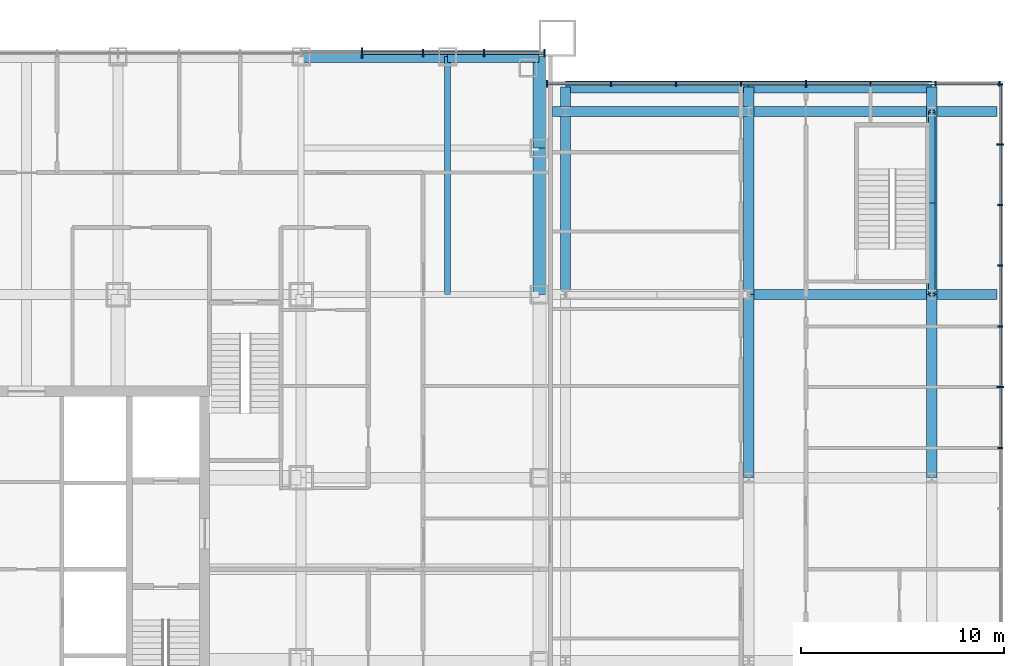
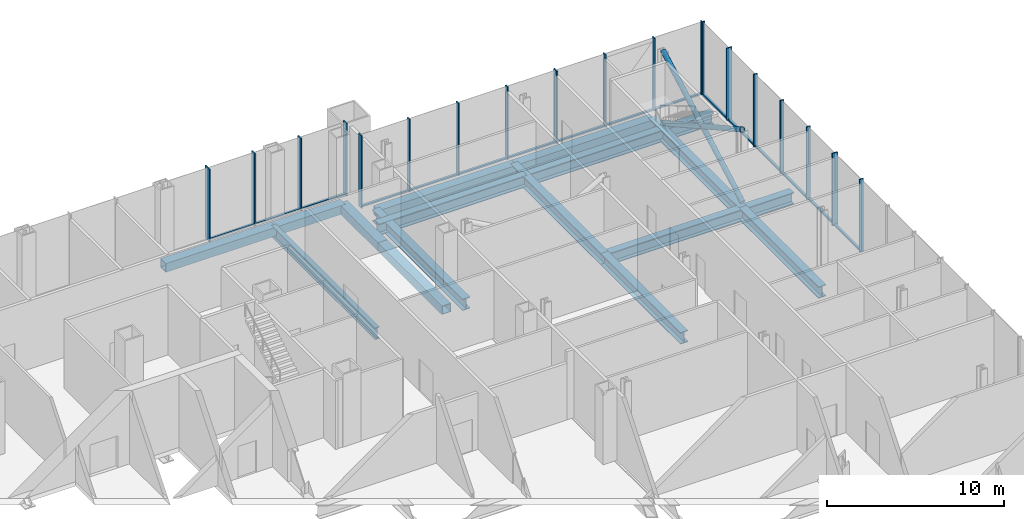
# One storey, part 9 of 25: 37 members, 15 beams, 3 elements without a shape of their own.
"""IFC4 building model written with IfcOpenShell, lengths in metres."""

from ifc_helpers import new_model, si_unit, direction, frame, origin, origin_2d, place, context, subcontext, project, spatial, rectangle, hollow_rectangle, hollow_circle, i_section, extrude, material, layer, layer_set, material_profile, profile_set, type_object, element, aggregate, save


model = new_model("IFC4")

# Units and contexts
model_context = context("Model", 3, precision=1e-05, world=origin(), true_north=direction((0.0, 1.0)))
body_context = subcontext(model_context, "Body", "Model", "MODEL_VIEW")
ifc_project = project(units=[si_unit("LENGTHUNIT", "METRE"), si_unit("AREAUNIT", "SQUARE_METRE"), si_unit("VOLUMEUNIT", "CUBIC_METRE"), si_unit("PLANEANGLEUNIT", "RADIAN"), si_unit("MASSUNIT", "GRAM", prefix="KILO")], contexts=[model_context])

# Site, building, storey
site_placement = place(None, origin())
site = spatial("IfcSite", under=ifc_project, at=site_placement, CompositionType="ELEMENT")
building_placement = place(site_placement, origin())
building = spatial("IfcBuilding", under=site, at=building_placement, Name="Malebo Sky Hospital", CompositionType="ELEMENT")
storey_placement = place(building_placement, frame((0.0, 0.0, 6.0)))
storey = spatial("IfcBuildingStorey", under=building, at=storey_placement, Name="L01", CompositionType="ELEMENT", Elevation=6.0)

# Curtain wall, members
ifc_material_1 = material(Name="Anodised aluminium, natural silver", Category="aluminium")
ifc_layer_1 = layer(ifc_material_1, 0.25)
ifc_layer_set_1 = layer_set([ifc_layer_1], Name="PODIUM ENTRANCE BAY CURTAIN WALL")
curtain_wall_type_1 = type_object("IfcCurtainWallType", Name="PODIUM ENTRANCE BAY CURTAIN WALL", PredefinedType="NOTDEFINED", material=ifc_layer_set_1)
curtain_wall_1_placement = place(storey_placement, origin())
curtain_wall_1 = element("IfcCurtainWall", 1, at=curtain_wall_1_placement, inside=storey, type_object=curtain_wall_type_1, Name="BAY curtain wall BN", PredefinedType="NOTDEFINED")
ifc_material_profile_1 = material_profile(ifc_material_1, rectangle(XDim=0.14990234375, YDim=0.10009765625, at=origin_2d()), Name="ALUMINIUM TRANSOM 150x100")
ifc_profile_set_1 = profile_set([ifc_material_profile_1], Name="Anodised aluminium, natural silver")
member_type_1 = type_object("IfcMemberType", Name="ALUMINIUM TRANSOM 150x100", PredefinedType="USERDEFINED", material=ifc_profile_set_1)
member_1_placement = place(storey_placement, frame((85.425048828125, 87.375, 0.050048828125), z_axis=(-1.0, 0.0, 0.0), x_axis=(0.0, -1.0, 0.0)))
member_1 = element("IfcMember", 2, at=member_1_placement, type_object=member_type_1, Name="Transom 1", ObjectType="TRANSOM", PredefinedType="USERDEFINED", context=body_context, shape_type="SweptSolid", body=[
    extrude(rectangle(XDim=0.14990234375, YDim=0.10009765625, at=origin_2d()), origin(), (0.0, 0.0, 1.0), 2.887451171875),
])
member_2_placement = place(storey_placement, frame((82.46240234375, 87.375, 0.050048828125), z_axis=(-1.0, 0.0, 0.0), x_axis=(0.0, -1.0, 0.0)))
member_2 = element("IfcMember", 3, at=member_2_placement, type_object=member_type_1, Name="Transom 2", ObjectType="TRANSOM", PredefinedType="USERDEFINED", context=body_context, shape_type="SweptSolid", body=[
    extrude(rectangle(XDim=0.14990234375, YDim=0.10009765625, at=origin_2d()), origin(), (0.0, 0.0, 1.0), 2.9248046875),
])
member_3_placement = place(storey_placement, frame((79.46240234375, 87.375, 0.050048828125), z_axis=(-1.0, 0.0, 0.0), x_axis=(0.0, -1.0, 0.0)))
member_3 = element("IfcMember", 4, at=member_3_placement, type_object=member_type_1, Name="Transom 3", ObjectType="TRANSOM", PredefinedType="USERDEFINED", context=body_context, shape_type="SweptSolid", body=[
    extrude(rectangle(XDim=0.14990234375, YDim=0.10009765625, at=origin_2d()), origin(), (0.0, 0.0, 1.0), 2.9248046875),
])

ifc_layer_2 = layer(ifc_material_1, 0.25)
ifc_layer_set_2 = layer_set([ifc_layer_2], Name="PODIUM CURTAIN WALL")
curtain_wall_type_2 = type_object("IfcCurtainWallType", Name="PODIUM CURTAIN WALL", PredefinedType="NOTDEFINED", material=ifc_layer_set_2)
curtain_wall_2_placement = place(storey_placement, origin())
curtain_wall_2 = element("IfcCurtainWall", 5, at=curtain_wall_2_placement, inside=storey, type_object=curtain_wall_type_2, Name="POD curtain wall EE", PredefinedType="NOTDEFINED")
member_4_placement = place(storey_placement, frame((107.875, 68.00634765625, 0.050048828125), z_axis=(0.0, 1.0, 0.0), x_axis=(-1.0, 0.0, 0.0)))
member_4 = element("IfcMember", 6, at=member_4_placement, type_object=member_type_1, Name="Transom 11", ObjectType="TRANSOM", PredefinedType="USERDEFINED", context=body_context, shape_type="SweptSolid", body=[
    extrude(rectangle(XDim=0.14990234375, YDim=0.10009765625, at=origin_2d()), origin(), (0.0, 0.0, 1.0), 2.9091796875),
])
member_5_placement = place(storey_placement, frame((107.875, 70.990478515625, 0.050048828125), z_axis=(0.0, 1.0, 0.0), x_axis=(-1.0, 0.0, 0.0)))
member_5 = element("IfcMember", 7, at=member_5_placement, type_object=member_type_1, Name="Transom 12", ObjectType="TRANSOM", PredefinedType="USERDEFINED", context=body_context, shape_type="SweptSolid", body=[
    extrude(rectangle(XDim=0.14990234375, YDim=0.10009765625, at=origin_2d()), origin(), (0.0, 0.0, 1.0), 2.909423828125),
])
member_6_placement = place(storey_placement, frame((107.875, 73.97509765625, 0.050048828125), z_axis=(0.0, 1.0, 0.0), x_axis=(-1.0, 0.0, 0.0)))
member_6 = element("IfcMember", 8, at=member_6_placement, type_object=member_type_1, Name="Transom 13", ObjectType="TRANSOM", PredefinedType="USERDEFINED", context=body_context, shape_type="SweptSolid", body=[
    extrude(rectangle(XDim=0.14990234375, YDim=0.10009765625, at=origin_2d()), origin(), (0.0, 0.0, 1.0), 2.909423828125),
])
member_7_placement = place(storey_placement, frame((107.875, 76.95947265625, 0.050048828125), z_axis=(0.0, 1.0, 0.0), x_axis=(-1.0, 0.0, 0.0)))
member_7 = element("IfcMember", 9, at=member_7_placement, type_object=member_type_1, Name="Transom 14", ObjectType="TRANSOM", PredefinedType="USERDEFINED", context=body_context, shape_type="SweptSolid", body=[
    extrude(rectangle(XDim=0.14990234375, YDim=0.10009765625, at=origin_2d()), origin(), (0.0, 0.0, 1.0), 2.9091796875),
])
member_8_placement = place(storey_placement, frame((107.875, 79.943603515625, 0.050048828125), z_axis=(0.0, 1.0, 0.0), x_axis=(-1.0, 0.0, 0.0)))
member_8 = element("IfcMember", 10, at=member_8_placement, type_object=member_type_1, Name="Transom 15", ObjectType="TRANSOM", PredefinedType="USERDEFINED", context=body_context, shape_type="SweptSolid", body=[
    extrude(rectangle(XDim=0.14990234375, YDim=0.10009765625, at=origin_2d()), origin(), (0.0, 0.0, 1.0), 2.909423828125),
])
member_9_placement = place(storey_placement, frame((107.875, 82.927978515625, 0.050048828125), z_axis=(0.0, 1.0, 0.0), x_axis=(-1.0, 0.0, 0.0)))
member_9 = element("IfcMember", 11, at=member_9_placement, type_object=member_type_1, Name="Transom 16", ObjectType="TRANSOM", PredefinedType="USERDEFINED", context=body_context, shape_type="SweptSolid", body=[
    extrude(rectangle(XDim=0.14990234375, YDim=0.10009765625, at=origin_2d()), origin(), (0.0, 0.0, 1.0), 2.8720703125),
])

curtain_wall_3_placement = place(storey_placement, origin())
curtain_wall_3 = element("IfcCurtainWall", 12, at=curtain_wall_3_placement, inside=storey, type_object=curtain_wall_type_2, Name="POD curtain wall EN", PredefinedType="NOTDEFINED")
member_10_placement = place(storey_placement, frame((107.800048828125, 85.875, 0.050048828125), z_axis=(-1.0, 0.0, 0.0), x_axis=(0.0, -1.0, 0.0)))
member_10 = element("IfcMember", 13, at=member_10_placement, type_object=member_type_1, Name="Transom 1", ObjectType="TRANSOM", PredefinedType="USERDEFINED", context=body_context, shape_type="SweptSolid", body=[
    extrude(rectangle(XDim=0.14990234375, YDim=0.10009765625, at=origin_2d()), origin(), (0.0, 0.0, 1.0), 3.076904296875),
])
member_11_placement = place(storey_placement, frame((104.648193359375, 85.875, 0.050048828125), z_axis=(-1.0, 0.0, 0.0), x_axis=(0.0, -1.0, 0.0)))
member_11 = element("IfcMember", 14, at=member_11_placement, type_object=member_type_1, Name="Transom 2", ObjectType="TRANSOM", PredefinedType="USERDEFINED", context=body_context, shape_type="SweptSolid", body=[
    extrude(rectangle(XDim=0.14990234375, YDim=0.10009765625, at=origin_2d()), origin(), (0.0, 0.0, 1.0), 3.1142578125),
])
member_12_placement = place(storey_placement, frame((101.458984375, 85.875, 0.050048828125), z_axis=(-1.0, 0.0, 0.0), x_axis=(0.0, -1.0, 0.0)))
member_12 = element("IfcMember", 15, at=member_12_placement, type_object=member_type_1, Name="Transom 3", ObjectType="TRANSOM", PredefinedType="USERDEFINED", context=body_context, shape_type="SweptSolid", body=[
    extrude(rectangle(XDim=0.14990234375, YDim=0.10009765625, at=origin_2d()), origin(), (0.0, 0.0, 1.0), 3.114501953125),
])
member_13_placement = place(storey_placement, frame((98.26953125, 85.875, 0.050048828125), z_axis=(-1.0, 0.0, 0.0), x_axis=(0.0, -1.0, 0.0)))
member_13 = element("IfcMember", 16, at=member_13_placement, type_object=member_type_1, Name="Transom 4", ObjectType="TRANSOM", PredefinedType="USERDEFINED", context=body_context, shape_type="SweptSolid", body=[
    extrude(rectangle(XDim=0.14990234375, YDim=0.10009765625, at=origin_2d()), origin(), (0.0, 0.0, 1.0), 3.114013671875),
])
member_14_placement = place(storey_placement, frame((95.080322265625, 85.875, 0.050048828125), z_axis=(-1.0, 0.0, 0.0), x_axis=(0.0, -1.0, 0.0)))
member_14 = element("IfcMember", 17, at=member_14_placement, type_object=member_type_1, Name="Transom 5", ObjectType="TRANSOM", PredefinedType="USERDEFINED", context=body_context, shape_type="SweptSolid", body=[
    extrude(rectangle(XDim=0.14990234375, YDim=0.10009765625, at=origin_2d()), origin(), (0.0, 0.0, 1.0), 3.1142578125),
])
member_15_placement = place(storey_placement, frame((91.89111328125, 85.875, 0.050048828125), z_axis=(-1.0, 0.0, 0.0), x_axis=(0.0, -1.0, 0.0)))
member_15 = element("IfcMember", 18, at=member_15_placement, type_object=member_type_1, Name="Transom 6", ObjectType="TRANSOM", PredefinedType="USERDEFINED", context=body_context, shape_type="SweptSolid", body=[
    extrude(rectangle(XDim=0.14990234375, YDim=0.10009765625, at=origin_2d()), origin(), (0.0, 0.0, 1.0), 3.1142578125),
])
member_16_placement = place(storey_placement, frame((88.701904296875, 85.875, 0.050048828125), z_axis=(-1.0, 0.0, 0.0), x_axis=(0.0, -1.0, 0.0)))
member_16 = element("IfcMember", 19, at=member_16_placement, type_object=member_type_1, Name="Transom 7", ObjectType="TRANSOM", PredefinedType="USERDEFINED", context=body_context, shape_type="SweptSolid", body=[
    extrude(rectangle(XDim=0.14990234375, YDim=0.10009765625, at=origin_2d()), origin(), (0.0, 0.0, 1.0), 3.076904296875),
])

# Member
ifc_material_profile_2 = material_profile(ifc_material_1, rectangle(XDim=0.074951171875, YDim=0.25, at=origin_2d()), Name="CW3 ALUMINIUM FIN MULLION 75x250")
ifc_profile_set_2 = profile_set([ifc_material_profile_2], Name="Anodised aluminium, natural silver")
member_type_2 = type_object("IfcMemberType", Name="CW3 ALUMINIUM FIN MULLION 75x250", PredefinedType="MULLION", material=ifc_profile_set_2)
member_17_placement = place(storey_placement, frame((107.875, 67.96875, 0.0), z_axis=(0.0, 0.0, 1.0), x_axis=(0.0, 1.0, 0.0)))
member_17 = element("IfcMember", 20, at=member_17_placement, type_object=member_type_2, Name="Fin mullion 11", PredefinedType="MULLION", context=body_context, shape_type="SweptSolid", body=[
    extrude(rectangle(XDim=0.074951171875, YDim=0.25, at=origin_2d()), origin(), (0.0, 0.0, 1.0), 5.0),
])

member_18_placement = place(storey_placement, frame((107.875, 73.9375, 0.0), z_axis=(0.0, 0.0, 1.0), x_axis=(0.0, 1.0, 0.0)))
member_18 = element("IfcMember", 21, at=member_18_placement, type_object=member_type_2, Name="Fin mullion 13", PredefinedType="MULLION", context=body_context, shape_type="SweptSolid", body=[
    extrude(rectangle(XDim=0.074951171875, YDim=0.25, at=origin_2d()), origin(), (0.0, 0.0, 1.0), 5.0),
])

member_19_placement = place(storey_placement, frame((107.875, 76.921875, 0.0), z_axis=(0.0, 0.0, 1.0), x_axis=(0.0, 1.0, 0.0)))
member_19 = element("IfcMember", 22, at=member_19_placement, type_object=member_type_2, Name="Fin mullion 14", PredefinedType="MULLION", context=body_context, shape_type="SweptSolid", body=[
    extrude(rectangle(XDim=0.074951171875, YDim=0.25, at=origin_2d()), origin(), (0.0, 0.0, 1.0), 5.0),
])

member_20_placement = place(storey_placement, frame((107.875, 79.90625, 0.0), z_axis=(0.0, 0.0, 1.0), x_axis=(0.0, 1.0, 0.0)))
member_20 = element("IfcMember", 23, at=member_20_placement, type_object=member_type_2, Name="Fin mullion 15", PredefinedType="MULLION", context=body_context, shape_type="SweptSolid", body=[
    extrude(rectangle(XDim=0.074951171875, YDim=0.25, at=origin_2d()), origin(), (0.0, 0.0, 1.0), 5.0),
])

member_21_placement = place(storey_placement, frame((107.875, 85.83740234375, 0.0), z_axis=(0.0, 0.0, 1.0), x_axis=(0.0, 1.0, 0.0)))
member_21 = element("IfcMember", 24, at=member_21_placement, type_object=member_type_2, Name="Fin mullion 17", PredefinedType="MULLION", context=body_context, shape_type="SweptSolid", body=[
    extrude(rectangle(XDim=0.074951171875, YDim=0.25, at=origin_2d()), origin(), (0.0, 0.0, 1.0), 5.0),
])

member_22_placement = place(storey_placement, frame((107.83740234375, 85.875, 0.0), z_axis=(0.0, 0.0, 1.0), x_axis=(-1.0, 0.0, 0.0)))
member_22 = element("IfcMember", 25, at=member_22_placement, type_object=member_type_2, Name="Fin mullion 1", PredefinedType="MULLION", context=body_context, shape_type="SweptSolid", body=[
    extrude(rectangle(XDim=0.074951171875, YDim=0.25, at=origin_2d()), origin(), (0.0, 0.0, 1.0), 5.0),
])

member_23_placement = place(storey_placement, frame((104.685791015625, 85.875, 0.0), z_axis=(0.0, 0.0, 1.0), x_axis=(-1.0, 0.0, 0.0)))
member_23 = element("IfcMember", 26, at=member_23_placement, type_object=member_type_2, Name="Fin mullion 2", PredefinedType="MULLION", context=body_context, shape_type="SweptSolid", body=[
    extrude(rectangle(XDim=0.074951171875, YDim=0.25, at=origin_2d()), origin(), (0.0, 0.0, 1.0), 5.0),
])

member_24_placement = place(storey_placement, frame((101.496337890625, 85.875, 0.0), z_axis=(0.0, 0.0, 1.0), x_axis=(-1.0, 0.0, 0.0)))
member_24 = element("IfcMember", 27, at=member_24_placement, type_object=member_type_2, Name="Fin mullion 3", PredefinedType="MULLION", context=body_context, shape_type="SweptSolid", body=[
    extrude(rectangle(XDim=0.074951171875, YDim=0.25, at=origin_2d()), origin(), (0.0, 0.0, 1.0), 5.0),
])

member_25_placement = place(storey_placement, frame((95.117919921875, 85.875, 0.0), z_axis=(0.0, 0.0, 1.0), x_axis=(-1.0, 0.0, 0.0)))
member_25 = element("IfcMember", 28, at=member_25_placement, type_object=member_type_2, Name="Fin mullion 5", PredefinedType="MULLION", context=body_context, shape_type="SweptSolid", body=[
    extrude(rectangle(XDim=0.074951171875, YDim=0.25, at=origin_2d()), origin(), (0.0, 0.0, 1.0), 5.0),
])

member_26_placement = place(storey_placement, frame((91.9287109375, 85.875, 0.0), z_axis=(0.0, 0.0, 1.0), x_axis=(-1.0, 0.0, 0.0)))
member_26 = element("IfcMember", 29, at=member_26_placement, type_object=member_type_2, Name="Fin mullion 6", PredefinedType="MULLION", context=body_context, shape_type="SweptSolid", body=[
    extrude(rectangle(XDim=0.074951171875, YDim=0.25, at=origin_2d()), origin(), (0.0, 0.0, 1.0), 5.0),
])

member_27_placement = place(storey_placement, frame((88.7392578125, 85.875, 0.0), z_axis=(0.0, 0.0, 1.0), x_axis=(-1.0, 0.0, 0.0)))
member_27 = element("IfcMember", 30, at=member_27_placement, type_object=member_type_2, Name="Fin mullion 7", PredefinedType="MULLION", context=body_context, shape_type="SweptSolid", body=[
    extrude(rectangle(XDim=0.074951171875, YDim=0.25, at=origin_2d()), origin(), (0.0, 0.0, 1.0), 5.0),
])

ifc_material_profile_3 = material_profile(ifc_material_1, rectangle(XDim=0.074951171875, YDim=0.35009765625, at=origin_2d()), Name="CW3 ALUMINIUM FIN MULLION 75x350")
ifc_profile_set_3 = profile_set([ifc_material_profile_3], Name="Anodised aluminium, natural silver")
member_type_3 = type_object("IfcMemberType", Name="CW3 ALUMINIUM FIN MULLION 75x350", PredefinedType="MULLION", material=ifc_profile_set_3)
member_28_placement = place(storey_placement, frame((107.875, 70.953125, 0.0), z_axis=(0.0, 0.0, 1.0), x_axis=(0.0, 1.0, 0.0)))
member_28 = element("IfcMember", 31, at=member_28_placement, type_object=member_type_3, Name="Fin mullion 12", PredefinedType="MULLION", context=body_context, shape_type="SweptSolid", body=[
    extrude(rectangle(XDim=0.074951171875, YDim=0.35009765625, at=origin_2d()), origin(), (0.0, 0.0, 1.0), 5.0),
])

member_29_placement = place(storey_placement, frame((107.875, 82.890625, 0.0), z_axis=(0.0, 0.0, 1.0), x_axis=(0.0, 1.0, 0.0)))
member_29 = element("IfcMember", 32, at=member_29_placement, type_object=member_type_3, Name="Fin mullion 16", PredefinedType="MULLION", context=body_context, shape_type="SweptSolid", body=[
    extrude(rectangle(XDim=0.074951171875, YDim=0.35009765625, at=origin_2d()), origin(), (0.0, 0.0, 1.0), 5.0),
])

aggregate(curtain_wall_2, [member_17, member_28, member_18, member_19, member_20, member_29, member_21, member_4, member_5, member_6, member_7, member_8, member_9])

member_30_placement = place(storey_placement, frame((98.30712890625, 85.875, 0.0), z_axis=(0.0, 0.0, 1.0), x_axis=(-1.0, 0.0, 0.0)))
member_30 = element("IfcMember", 33, at=member_30_placement, type_object=member_type_3, Name="Fin mullion 4", PredefinedType="MULLION", context=body_context, shape_type="SweptSolid", body=[
    extrude(rectangle(XDim=0.074951171875, YDim=0.35009765625, at=origin_2d()), origin(), (0.0, 0.0, 1.0), 5.0),
])

member_31_placement = place(storey_placement, frame((85.58740234375, 85.875, 0.0), z_axis=(0.0, 0.0, 1.0), x_axis=(-1.0, 0.0, 0.0)))
member_31 = element("IfcMember", 34, at=member_31_placement, type_object=member_type_3, Name="Fin mullion 8", PredefinedType="MULLION", context=body_context, shape_type="SweptSolid", body=[
    extrude(rectangle(XDim=0.074951171875, YDim=0.35009765625, at=origin_2d()), origin(), (0.0, 0.0, 1.0), 5.0),
])

aggregate(curtain_wall_3, [member_22, member_23, member_24, member_30, member_25, member_26, member_27, member_31, member_10, member_11, member_12, member_13, member_14, member_15, member_16])

ifc_material_profile_4 = material_profile(ifc_material_1, rectangle(XDim=0.074951171875, YDim=0.35009765625, at=origin_2d()), Name="CW4 ALUMINIUM FIN MULLION 75x350")
ifc_profile_set_4 = profile_set([ifc_material_profile_4], Name="Anodised aluminium, natural silver")
member_type_4 = type_object("IfcMemberType", Name="CW4 ALUMINIUM FIN MULLION 75x350", PredefinedType="MULLION", material=ifc_profile_set_4)
member_32_placement = place(storey_placement, frame((85.46240234375, 87.375, 0.0), z_axis=(0.0, 0.0, 1.0), x_axis=(-1.0, 0.0, 0.0)))
member_32 = element("IfcMember", 35, at=member_32_placement, type_object=member_type_4, Name="Fin mullion 1", PredefinedType="MULLION", context=body_context, shape_type="SweptSolid", body=[
    extrude(rectangle(XDim=0.074951171875, YDim=0.35009765625, at=origin_2d()), origin(), (0.0, 0.0, 1.0), 5.0),
])

member_33_placement = place(storey_placement, frame((82.5, 87.375, 0.0), z_axis=(0.0, 0.0, 1.0), x_axis=(-1.0, 0.0, 0.0)))
member_33 = element("IfcMember", 36, at=member_33_placement, type_object=member_type_4, Name="Fin mullion 2", PredefinedType="MULLION", context=body_context, shape_type="SweptSolid", body=[
    extrude(rectangle(XDim=0.074951171875, YDim=0.35009765625, at=origin_2d()), origin(), (0.0, 0.0, 1.0), 5.0),
])

member_34_placement = place(storey_placement, frame((79.5, 87.375, 0.0), z_axis=(0.0, 0.0, 1.0), x_axis=(-1.0, 0.0, 0.0)))
member_34 = element("IfcMember", 37, at=member_34_placement, type_object=member_type_4, Name="Fin mullion 3", PredefinedType="MULLION", context=body_context, shape_type="SweptSolid", body=[
    extrude(rectangle(XDim=0.074951171875, YDim=0.35009765625, at=origin_2d()), origin(), (0.0, 0.0, 1.0), 5.0),
])

ifc_material_profile_5 = material_profile(ifc_material_1, rectangle(XDim=0.074951171875, YDim=0.5, at=origin_2d()), Name="CW4 ALUMINIUM FIN MULLION 75x500")
ifc_profile_set_5 = profile_set([ifc_material_profile_5], Name="Anodised aluminium, natural silver")
member_type_5 = type_object("IfcMemberType", Name="CW4 ALUMINIUM FIN MULLION 75x500", PredefinedType="MULLION", material=ifc_profile_set_5)
member_35_placement = place(storey_placement, frame((76.5, 87.375, 0.0), z_axis=(0.0, 0.0, 1.0), x_axis=(-1.0, 0.0, 0.0)))
member_35 = element("IfcMember", 38, at=member_35_placement, type_object=member_type_5, Name="Fin mullion 4", PredefinedType="MULLION", context=body_context, shape_type="SweptSolid", body=[
    extrude(rectangle(XDim=0.074951171875, YDim=0.5, at=origin_2d()), origin(), (0.0, 0.0, 1.0), 5.0),
])

aggregate(curtain_wall_1, [member_32, member_33, member_34, member_35, member_1, member_2, member_3])

# Beams
ifc_material_2 = material(Name="Steel S460", Category="steel")
ifc_material_profile_6 = material_profile(ifc_material_2, hollow_rectangle(XDim=0.60009765625, YDim=0.60009765625, WallThickness=0.0400390625, at=origin_2d()), Name="BOX 600x600x40")
ifc_profile_set_6 = profile_set([ifc_material_profile_6], Name="Steel S460")
beam_type_1 = type_object("IfcBeamType", Name="EDGE BEAM BOX 600x600x40", PredefinedType="BEAM", material=ifc_profile_set_6)
beam_1_placement = place(storey_placement, frame((85.199951171875, 75.5, -0.60009765625), z_axis=(0.0, 1.0, 0.0), x_axis=(-1.0, 0.0, 0.0)))
element("IfcBeam", 39, at=beam_1_placement, inside=storey, type_object=beam_type_1, Name="Beam 036 L01", PredefinedType="BEAM", context=body_context, shape_type="SweptSolid", body=[
    extrude(hollow_rectangle(XDim=0.60009765625, YDim=0.60009765625, WallThickness=0.0400390625, at=origin_2d()), origin(), (0.0, 0.0, 1.0), 7.199951171875),
])
beam_2_placement = place(storey_placement, frame((85.199951171875, 82.699951171875, -0.60009765625), z_axis=(0.0, 1.0, 0.0), x_axis=(-1.0, 0.0, 0.0)))
element("IfcBeam", 40, at=beam_2_placement, inside=storey, type_object=beam_type_1, Name="Beam 037 L01", PredefinedType="BEAM", context=body_context, shape_type="SweptSolid", body=[
    extrude(hollow_rectangle(XDim=0.60009765625, YDim=0.60009765625, WallThickness=0.0400390625, at=origin_2d()), origin(), (0.0, 0.0, 1.0), 4.5),
])
beam_3_placement = place(storey_placement, frame((73.5, 87.199951171875, -0.60009765625), z_axis=(1.0, 0.0, 0.0), x_axis=(0.0, 1.0, 0.0)))
element("IfcBeam", 41, at=beam_3_placement, inside=storey, type_object=beam_type_1, Name="Beam 074 L01", PredefinedType="BEAM", context=body_context, shape_type="SweptSolid", body=[
    extrude(hollow_rectangle(XDim=0.60009765625, YDim=0.60009765625, WallThickness=0.0400390625, at=origin_2d()), origin(), (0.0, 0.0, 1.0), 7.199951171875),
])
beam_4_placement = place(storey_placement, frame((80.699951171875, 87.199951171875, -0.60009765625), z_axis=(1.0, 0.0, 0.0), x_axis=(0.0, 1.0, 0.0)))
element("IfcBeam", 42, at=beam_4_placement, inside=storey, type_object=beam_type_1, Name="Beam 075 L01", PredefinedType="BEAM", context=body_context, shape_type="SweptSolid", body=[
    extrude(hollow_rectangle(XDim=0.60009765625, YDim=0.60009765625, WallThickness=0.0400390625, at=origin_2d()), origin(), (0.0, 0.0, 1.0), 4.5),
])
for number, where, z_axis, x_axis, name in (
    (43, (86.5, 85.699951171875, -0.60009765625), (1.0, 0.0, 0.0), (0.0, 1.0, 0.0), "Beam E030 L01"),
    (44, (95.5, 85.699951171875, -0.60009765625), (1.0, 0.0, 0.0), (0.0, 1.0, 0.0), "Beam E031 L01"),
):
    element("IfcBeam", number, at=place(storey_placement, frame(where, z_axis=z_axis, x_axis=x_axis)), inside=storey, type_object=beam_type_1, Name=name, PredefinedType="BEAM", context=body_context, shape_type="SweptSolid", body=[
        extrude(hollow_rectangle(XDim=0.60009765625, YDim=0.60009765625, WallThickness=0.0400390625, at=origin_2d()), origin(), (0.0, 0.0, 1.0), 9.0),
    ])
ifc_material_3 = material(Name="Steel S355", Category="steel")
ifc_material_profile_7 = material_profile(ifc_material_3, i_section(OverallWidth=0.300048828125, OverallDepth=0.800048828125, WebThickness=0.017578125, FlangeThickness=0.032958984375, FilletRadius=0.030029296875, at=origin_2d()), Name="HEB 800")
ifc_profile_set_7 = profile_set([ifc_material_profile_7], Name="Steel S355")
beam_type_2 = type_object("IfcBeamType", Name="FLOOR BEAM HEB 800", PredefinedType="BEAM", material=ifc_profile_set_7)
beam_5_placement = place(storey_placement, frame((80.699951171875, 75.5, -0.699951171875), z_axis=(0.0, 1.0, 0.0), x_axis=(-1.0, 0.0, 0.0)))
element("IfcBeam", 45, at=beam_5_placement, inside=storey, type_object=beam_type_2, Name="Beam 030 L01", PredefinedType="BEAM", context=body_context, shape_type="SweptSolid", body=[
    extrude(i_section(OverallWidth=0.300048828125, OverallDepth=0.800048828125, WebThickness=0.017578125, FlangeThickness=0.032958984375, FilletRadius=0.030029296875, at=origin_2d()), origin(), (0.0, 0.0, 1.0), 11.699951171875),
])
ifc_material_profile_8 = material_profile(ifc_material_3, i_section(OverallWidth=0.5, OverallDepth=0.800048828125, WebThickness=0.030029296875, FlangeThickness=0.050048828125, at=origin_2d()), Name="PG 800x500x30x50")
ifc_profile_set_8 = profile_set([ifc_material_profile_8], Name="Steel S355")
beam_type_3 = type_object("IfcBeamType", Name="FLOOR BEAM PG 800x500x30x50", PredefinedType="BEAM", material=ifc_profile_set_8)
beam_6_placement = place(storey_placement, frame((86.5, 75.5, -0.699951171875), z_axis=(0.0, 1.0, 0.0), x_axis=(-1.0, 0.0, 0.0)))
element("IfcBeam", 46, at=beam_6_placement, inside=storey, type_object=beam_type_3, Name="Beam E005 L01", PredefinedType="BEAM", context=body_context, shape_type="SweptSolid", body=[
    extrude(i_section(OverallWidth=0.5, OverallDepth=0.800048828125, WebThickness=0.030029296875, FlangeThickness=0.050048828125, at=origin_2d()), origin(), (0.0, 0.0, 1.0), 10.199951171875),
])
beam_7_placement = place(storey_placement, frame((95.5, 66.5, -0.699951171875), z_axis=(0.0, 1.0, 0.0), x_axis=(-1.0, 0.0, 0.0)))
element("IfcBeam", 47, at=beam_7_placement, inside=storey, type_object=beam_type_3, Name="Beam E009 L01", PredefinedType="BEAM", context=body_context, shape_type="SweptSolid", body=[
    extrude(i_section(OverallWidth=0.5, OverallDepth=0.800048828125, WebThickness=0.030029296875, FlangeThickness=0.050048828125, at=origin_2d()), origin(), (0.0, 0.0, 1.0), 9.0),
])
beam_8_placement = place(storey_placement, frame((95.5, 75.5, -0.699951171875), z_axis=(0.0, 1.0, 0.0), x_axis=(-1.0, 0.0, 0.0)))
element("IfcBeam", 48, at=beam_8_placement, inside=storey, type_object=beam_type_3, Name="Beam E010 L01", PredefinedType="BEAM", context=body_context, shape_type="SweptSolid", body=[
    extrude(i_section(OverallWidth=0.5, OverallDepth=0.800048828125, WebThickness=0.030029296875, FlangeThickness=0.050048828125, at=origin_2d()), origin(), (0.0, 0.0, 1.0), 10.199951171875),
])
beam_9_placement = place(storey_placement, frame((104.5, 66.5, -0.699951171875), z_axis=(0.0, 1.0, 0.0), x_axis=(-1.0, 0.0, 0.0)))
element("IfcBeam", 49, at=beam_9_placement, inside=storey, type_object=beam_type_3, Name="Beam E014 L01", PredefinedType="BEAM", context=body_context, shape_type="SweptSolid", body=[
    extrude(i_section(OverallWidth=0.5, OverallDepth=0.800048828125, WebThickness=0.030029296875, FlangeThickness=0.050048828125, at=origin_2d()), origin(), (0.0, 0.0, 1.0), 9.0),
])
beam_10_placement = place(storey_placement, frame((104.5, 75.5, -0.699951171875), z_axis=(0.0, 1.0, 0.0), x_axis=(-1.0, 0.0, 0.0)))
element("IfcBeam", 50, at=beam_10_placement, inside=storey, type_object=beam_type_3, Name="Beam E015 L01", PredefinedType="BEAM", context=body_context, shape_type="SweptSolid", body=[
    extrude(i_section(OverallWidth=0.5, OverallDepth=0.800048828125, WebThickness=0.030029296875, FlangeThickness=0.050048828125, at=origin_2d()), origin(), (0.0, 0.0, 1.0), 10.199951171875),
])
beam_11_placement = place(storey_placement, frame((95.5, 75.5, -0.699951171875), z_axis=(1.0, 0.0, 0.0), x_axis=(0.0, 1.0, 0.0)))
element("IfcBeam", 51, at=beam_11_placement, inside=storey, type_object=beam_type_3, Name="Beam E025 L01", PredefinedType="BEAM", context=body_context, shape_type="SweptSolid", body=[
    extrude(i_section(OverallWidth=0.5, OverallDepth=0.800048828125, WebThickness=0.030029296875, FlangeThickness=0.050048828125, at=origin_2d()), origin(), (0.0, 0.0, 1.0), 12.199951171875),
])
beam_12_placement = place(storey_placement, frame((85.85009765625, 84.5, -0.699951171875), z_axis=(1.0, 0.0, 0.0), x_axis=(0.0, 1.0, 0.0)))
element("IfcBeam", 52, at=beam_12_placement, inside=storey, type_object=beam_type_3, Name="Beam E026 L01", PredefinedType="BEAM", context=body_context, shape_type="SweptSolid", body=[
    extrude(i_section(OverallWidth=0.5, OverallDepth=0.800048828125, WebThickness=0.030029296875, FlangeThickness=0.050048828125, at=origin_2d()), origin(), (0.0, 0.0, 1.0), 9.64990234375),
])
beam_13_placement = place(storey_placement, frame((95.5, 84.5, -0.699951171875), z_axis=(1.0, 0.0, 0.0), x_axis=(0.0, 1.0, 0.0)))
element("IfcBeam", 53, at=beam_13_placement, inside=storey, type_object=beam_type_3, Name="Beam E027 L01", PredefinedType="BEAM", context=body_context, shape_type="SweptSolid", body=[
    extrude(i_section(OverallWidth=0.5, OverallDepth=0.800048828125, WebThickness=0.030029296875, FlangeThickness=0.050048828125, at=origin_2d()), origin(), (0.0, 0.0, 1.0), 12.199951171875),
])

# Members
ifc_material_profile_9 = material_profile(ifc_material_2, hollow_circle(Radius=0.161865234375, WallThickness=0.012451171875, at=origin_2d()), Name="CHS 323.9x12.5")
ifc_profile_set_9 = profile_set([ifc_material_profile_9], Name="Steel S460")
member_type_6 = type_object("IfcMemberType", Name="WING BRACE CHS 323.9x12.5", PredefinedType="BRACE", material=ifc_profile_set_9)
for number, where, z_axis, x_axis, name in (
    (54, (104.5, 75.5, 0.0), (0.0, 0.874157276122, 0.485642931179), (-1.0, 0.0, 0.0), "Wing brace E1.1 L01"),
    (55, (104.5, 84.5, 0.0), (0.0, -0.874157276122, 0.485642931179), (1.0, 0.0, 0.0), "Wing brace E1.2 L01"),
):
    element("IfcMember", number, at=place(storey_placement, frame(where, z_axis=z_axis, x_axis=x_axis)), inside=storey, type_object=member_type_6, Name=name, PredefinedType="BRACE", context=body_context, shape_type="SweptSolid", body=[
        extrude(hollow_circle(Radius=0.161865234375, WallThickness=0.012451171875, at=origin_2d()), origin(), (0.0, 0.0, 1.0), 10.295654296875),
    ])

save(model, "model.ifc")
